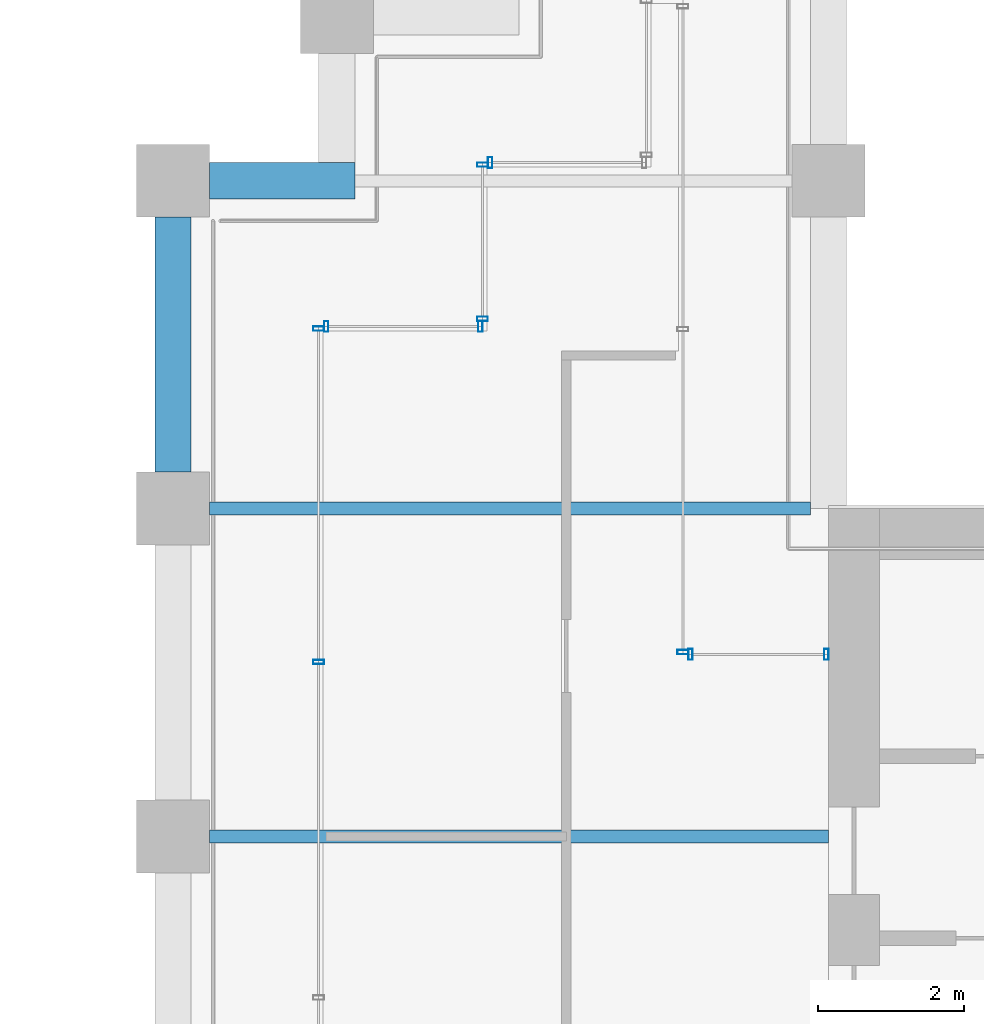
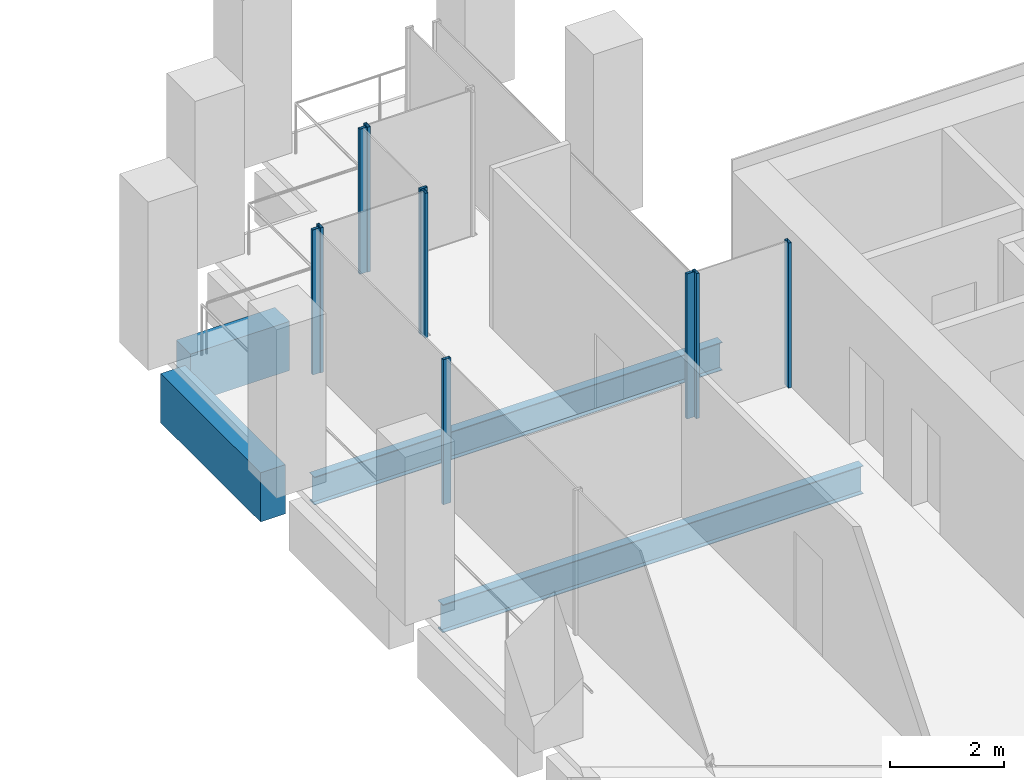
# One storey, part 34 of 46: 10 members, 4 beams, 6 elements without a shape of their own.
"""IFC4 building model written with IfcOpenShell, lengths in metres."""

from ifc_helpers import new_model, si_unit, direction, frame, origin, origin_2d, place, context, subcontext, project, spatial, rectangle, hollow_rectangle, i_section, extrude, material, material_profile, profile_set, type_object, element, aggregate, save


model = new_model("IFC4")

# Units and contexts
model_context = context("Model", 3, precision=1e-05, world=origin(), true_north=direction((0.0, 1.0)))
body_context = subcontext(model_context, "Body", "Model", "MODEL_VIEW")
ifc_project = project(units=[si_unit("LENGTHUNIT", "METRE"), si_unit("AREAUNIT", "SQUARE_METRE"), si_unit("VOLUMEUNIT", "CUBIC_METRE"), si_unit("PLANEANGLEUNIT", "RADIAN"), si_unit("MASSUNIT", "GRAM", prefix="KILO")], contexts=[model_context])

# Site, building, storey
site_placement = place(None, origin())
site = spatial("IfcSite", under=ifc_project, at=site_placement, CompositionType="ELEMENT")
building_placement = place(site_placement, origin())
building = spatial("IfcBuilding", under=site, at=building_placement, Name="Altepetl Exchange Towers", CompositionType="ELEMENT")
storey_placement = place(building_placement, frame((0.0, 0.0, 102.800048828125)))
storey = spatial("IfcBuildingStorey", under=building, at=storey_placement, Name="L25", CompositionType="ELEMENT", Elevation=102.800048828125)

# Beams
ifc_material_1 = material(Name="Steel S355", Category="steel")
ifc_material_profile_1 = material_profile(ifc_material_1, i_section(OverallWidth=0.177978515625, OverallDepth=0.59912109375, WebThickness=0.010009765625, FlangeThickness=0.0126953125, at=origin_2d()), Name="W24X55")
ifc_profile_set_1 = profile_set([ifc_material_profile_1], Name="Steel S355")
beam_type_1 = type_object("IfcBeamType", Name="Floor beam W24X55", PredefinedType="BEAM", material=ifc_profile_set_1)
beam_1_placement = place(storey_placement, frame((95.0, 45.0, -0.449462890625), z_axis=(1.0, 0.0, 0.0), x_axis=(0.0, 1.0, 0.0)))
element("IfcBeam", 1, at=beam_1_placement, inside=storey, type_object=beam_type_1, Name="bm:B:L25:009", PredefinedType="BEAM", context=body_context, shape_type="SweptSolid", body=[
    extrude(i_section(OverallWidth=0.177978515625, OverallDepth=0.59912109375, WebThickness=0.010009765625, FlangeThickness=0.0126953125, at=origin_2d()), origin(), (0.0, 0.0, 1.0), 8.5),
])
beam_2_placement = place(storey_placement, frame((95.0, 49.5, -0.449462890625), z_axis=(1.0, 0.0, 0.0), x_axis=(0.0, 1.0, 0.0)))
element("IfcBeam", 2, at=beam_2_placement, inside=storey, type_object=beam_type_1, Name="bm:B:L25:010", PredefinedType="BEAM", context=body_context, shape_type="SweptSolid", body=[
    extrude(i_section(OverallWidth=0.177978515625, OverallDepth=0.59912109375, WebThickness=0.010009765625, FlangeThickness=0.0126953125, at=origin_2d()), origin(), (0.0, 0.0, 1.0), 8.25),
])

# Curtain wall, members
ifc_material_2 = material(Name="Aluminium 6063-T6 glazing", Category="aluminium")
curtain_wall_type = type_object("IfcCurtainWallType", Name="Loggia glazing system", PredefinedType="NOTDEFINED", material=ifc_material_2)
curtain_wall_1_placement = place(storey_placement, origin())
curtain_wall_1 = element("IfcCurtainWall", 3, at=curtain_wall_1_placement, inside=storey, type_object=curtain_wall_type, Name="CW1 run", PredefinedType="NOTDEFINED")
ifc_material_3 = material(Name="Aluminium 6063-T6", Category="aluminium")
ifc_material_profile_2 = material_profile(ifc_material_3, hollow_rectangle(XDim=0.06005859375, YDim=0.14990234375, WallThickness=0.0029296875, at=origin_2d()), Name="Mullion 60x150 aluminium")
ifc_profile_set_2 = profile_set([ifc_material_profile_2], Name="Aluminium 6063-T6")
member_type = type_object("IfcMemberType", Name="Mullion 60x150 aluminium", PredefinedType="MULLION", material=ifc_profile_set_2)
member_1_placement = place(storey_placement, frame((98.719970703125, 52.0, 0.0), z_axis=(0.0, 0.0, 1.0), x_axis=(-1.0, 0.0, 0.0)))
member_1 = element("IfcMember", 4, at=member_1_placement, type_object=member_type, Name="MU1 mullion", PredefinedType="MULLION", context=body_context, shape_type="SweptSolid", body=[
    extrude(hollow_rectangle(XDim=0.06005859375, YDim=0.14990234375, WallThickness=0.0029296875, at=origin_2d()), origin(), (0.0, 0.0, 1.0), 3.099853515625),
])
member_2_placement = place(storey_placement, frame((96.60498046875, 52.0, 0.0), z_axis=(0.0, 0.0, 1.0), x_axis=(-1.0, 0.0, 0.0)))
member_2 = element("IfcMember", 5, at=member_2_placement, type_object=member_type, Name="MU1 mullion", PredefinedType="MULLION", context=body_context, shape_type="SweptSolid", body=[
    extrude(hollow_rectangle(XDim=0.06005859375, YDim=0.14990234375, WallThickness=0.0029296875, at=origin_2d()), origin(), (0.0, 0.0, 1.0), 3.099853515625),
])
aggregate(curtain_wall_1, [member_1, member_2])

curtain_wall_2_placement = place(storey_placement, origin())
curtain_wall_2 = element("IfcCurtainWall", 6, at=curtain_wall_2_placement, inside=storey, type_object=curtain_wall_type, Name="CW1 run", PredefinedType="NOTDEFINED")
member_3_placement = place(storey_placement, frame((96.5, 51.969970703125, 0.0), z_axis=(0.0, 0.0, 1.0), x_axis=(0.0, -1.0, 0.0)))
member_3 = element("IfcMember", 7, at=member_3_placement, type_object=member_type, Name="MU1 mullion", PredefinedType="MULLION", context=body_context, shape_type="SweptSolid", body=[
    extrude(hollow_rectangle(XDim=0.06005859375, YDim=0.14990234375, WallThickness=0.0029296875, at=origin_2d()), origin(), (0.0, 0.0, 1.0), 3.099853515625),
])
member_4_placement = place(storey_placement, frame((96.5, 47.393798828125, 0.0), z_axis=(0.0, 0.0, 1.0), x_axis=(0.0, -1.0, 0.0)))
member_4 = element("IfcMember", 8, at=member_4_placement, type_object=member_type, Name="MU1 mullion", PredefinedType="MULLION", context=body_context, shape_type="SweptSolid", body=[
    extrude(hollow_rectangle(XDim=0.06005859375, YDim=0.14990234375, WallThickness=0.0029296875, at=origin_2d()), origin(), (0.0, 0.0, 1.0), 3.099853515625),
])
aggregate(curtain_wall_2, [member_3, member_4])

curtain_wall_3_placement = place(storey_placement, origin())
curtain_wall_3 = element("IfcCurtainWall", 9, at=curtain_wall_3_placement, inside=storey, type_object=curtain_wall_type, Name="CW1 run", PredefinedType="NOTDEFINED")
member_5_placement = place(storey_placement, frame((103.469970703125, 47.5, 0.0), z_axis=(0.0, 0.0, 1.0), x_axis=(-1.0, 0.0, 0.0)))
member_5 = element("IfcMember", 10, at=member_5_placement, type_object=member_type, Name="MU1 mullion", PredefinedType="MULLION", context=body_context, shape_type="SweptSolid", body=[
    extrude(hollow_rectangle(XDim=0.06005859375, YDim=0.14990234375, WallThickness=0.0029296875, at=origin_2d()), origin(), (0.0, 0.0, 1.0), 3.099853515625),
])
member_6_placement = place(storey_placement, frame((101.60498046875, 47.5, 0.0), z_axis=(0.0, 0.0, 1.0), x_axis=(-1.0, 0.0, 0.0)))
member_6 = element("IfcMember", 11, at=member_6_placement, type_object=member_type, Name="MU1 mullion", PredefinedType="MULLION", context=body_context, shape_type="SweptSolid", body=[
    extrude(hollow_rectangle(XDim=0.06005859375, YDim=0.14990234375, WallThickness=0.0029296875, at=origin_2d()), origin(), (0.0, 0.0, 1.0), 3.099853515625),
])
aggregate(curtain_wall_3, [member_5, member_6])

# Curtain wall, member
curtain_wall_4_placement = place(storey_placement, origin())
curtain_wall_4 = element("IfcCurtainWall", 12, at=curtain_wall_4_placement, inside=storey, type_object=curtain_wall_type, Name="CW1 run", PredefinedType="NOTDEFINED")
member_7_placement = place(storey_placement, frame((101.5, 47.530029296875, 0.0), z_axis=(0.0, 0.0, 1.0), x_axis=(0.0, 1.0, 0.0)))
member_7 = element("IfcMember", 13, at=member_7_placement, type_object=member_type, Name="MU1 mullion", PredefinedType="MULLION", context=body_context, shape_type="SweptSolid", body=[
    extrude(hollow_rectangle(XDim=0.06005859375, YDim=0.14990234375, WallThickness=0.0029296875, at=origin_2d()), origin(), (0.0, 0.0, 1.0), 3.099853515625),
])
aggregate(curtain_wall_4, [member_7])

curtain_wall_5_placement = place(storey_placement, origin())
curtain_wall_5 = element("IfcCurtainWall", 14, at=curtain_wall_5_placement, inside=storey, type_object=curtain_wall_type, Name="CW1 run", PredefinedType="NOTDEFINED")
member_8_placement = place(storey_placement, frame((98.85498046875, 54.25, 0.0), z_axis=(0.0, 0.0, 1.0), x_axis=(-1.0, 0.0, 0.0)))
member_8 = element("IfcMember", 15, at=member_8_placement, type_object=member_type, Name="MU1 mullion", PredefinedType="MULLION", context=body_context, shape_type="SweptSolid", body=[
    extrude(hollow_rectangle(XDim=0.06005859375, YDim=0.14990234375, WallThickness=0.0029296875, at=origin_2d()), origin(), (0.0, 0.0, 1.0), 3.099853515625),
])
aggregate(curtain_wall_5, [member_8])

# Curtain wall, members
curtain_wall_6_placement = place(storey_placement, origin())
curtain_wall_6 = element("IfcCurtainWall", 16, at=curtain_wall_6_placement, inside=storey, type_object=curtain_wall_type, Name="CW1 run", PredefinedType="NOTDEFINED")
member_9_placement = place(storey_placement, frame((98.75, 54.219970703125, 0.0), z_axis=(0.0, 0.0, 1.0), x_axis=(0.0, -1.0, 0.0)))
member_9 = element("IfcMember", 17, at=member_9_placement, type_object=member_type, Name="MU1 mullion", PredefinedType="MULLION", context=body_context, shape_type="SweptSolid", body=[
    extrude(hollow_rectangle(XDim=0.06005859375, YDim=0.14990234375, WallThickness=0.0029296875, at=origin_2d()), origin(), (0.0, 0.0, 1.0), 3.099853515625),
])
member_10_placement = place(storey_placement, frame((98.75, 52.10498046875, 0.0), z_axis=(0.0, 0.0, 1.0), x_axis=(0.0, -1.0, 0.0)))
member_10 = element("IfcMember", 18, at=member_10_placement, type_object=member_type, Name="MU1 mullion", PredefinedType="MULLION", context=body_context, shape_type="SweptSolid", body=[
    extrude(hollow_rectangle(XDim=0.06005859375, YDim=0.14990234375, WallThickness=0.0029296875, at=origin_2d()), origin(), (0.0, 0.0, 1.0), 3.099853515625),
])
aggregate(curtain_wall_6, [member_9, member_10])

# Beams
ifc_material_4 = material(Name="Concrete C50/60 precast with cantera rosa facing", Category="concrete")
ifc_material_profile_3 = material_profile(ifc_material_4, rectangle(XDim=0.5, YDim=1.050048828125, at=origin_2d()), Name="500 x 1050")
ifc_profile_set_3 = profile_set([ifc_material_profile_3], Name="Concrete C50/60 precast with cantera rosa facing")
beam_type_2 = type_object("IfcBeamType", Name="Spandrel beam 500x1050 cantera rosa", PredefinedType="SPANDREL", material=ifc_profile_set_3)
beam_3_placement = place(storey_placement, frame((97.0, 54.0, -0.675048828125), z_axis=(-1.0, 0.0, 0.0), x_axis=(0.0, -1.0, 0.0)))
element("IfcBeam", 19, at=beam_3_placement, inside=storey, type_object=beam_type_2, Name="sp:B:L25:021", PredefinedType="SPANDREL", context=body_context, shape_type="SweptSolid", body=[
    extrude(rectangle(XDim=0.5, YDim=1.050048828125, at=origin_2d()), origin(), (0.0, 0.0, 1.0), 2.0),
])
beam_4_placement = place(storey_placement, frame((94.5, 53.5, -0.675048828125), z_axis=(0.0, -1.0, 0.0), x_axis=(1.0, 0.0, 0.0)))
element("IfcBeam", 20, at=beam_4_placement, inside=storey, type_object=beam_type_2, Name="sp:B:L25:022", PredefinedType="SPANDREL", context=body_context, shape_type="SweptSolid", body=[
    extrude(rectangle(XDim=0.5, YDim=1.050048828125, at=origin_2d()), origin(), (0.0, 0.0, 1.0), 3.5),
])

save(model, "model.ifc")
